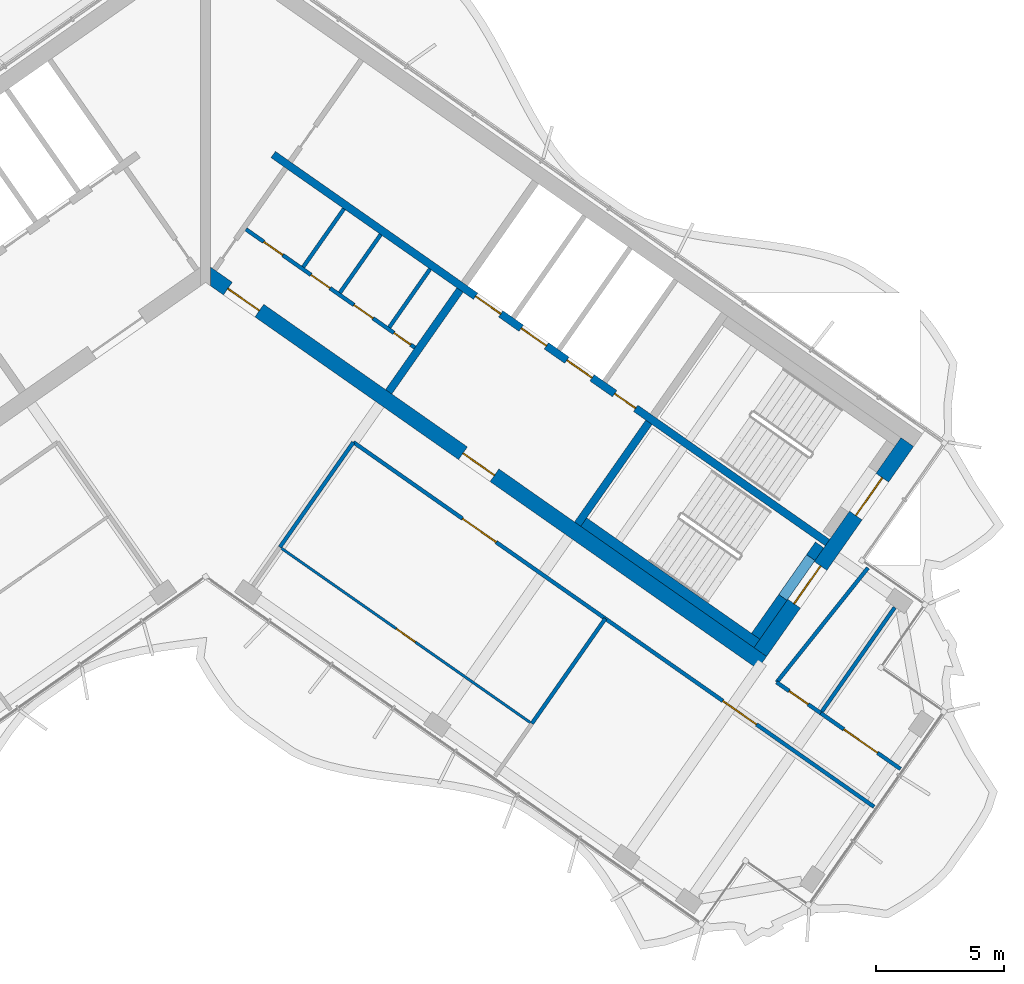
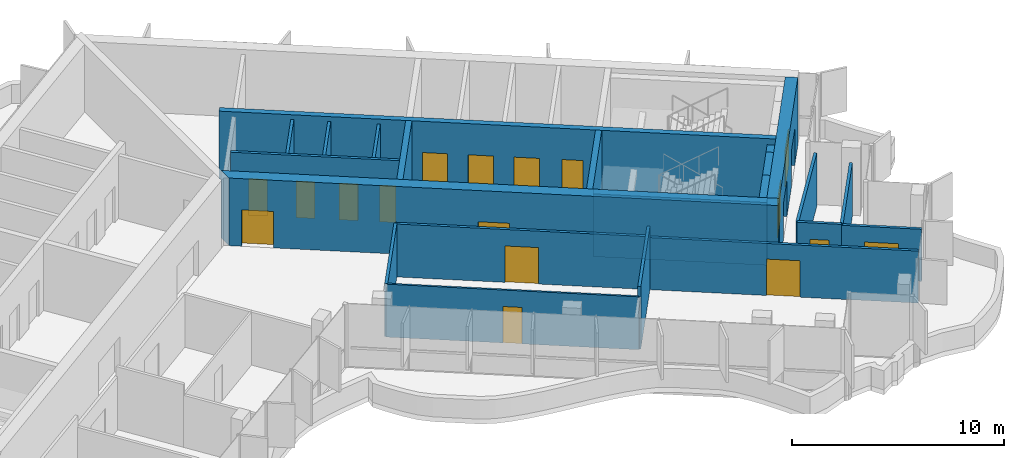
# One storey, part 10 of 18: 22 walls, 17 doors, 17 openings.
"""IFC4 building model written with IfcOpenShell, lengths in metres."""

from ifc_helpers import new_model, si_unit, direction, frame, frame_2d, origin, place, context, subcontext, project, spatial, polyline, rectangle, outline, extrude, material, layer, layer_set, type_object, element, fill, save


model = new_model("IFC4")

# Units and contexts
model_context = context("Model", 3, precision=1e-05, world=origin(), true_north=direction((0.0, 1.0)))
body_context = subcontext(model_context, "Body", "Model", "MODEL_VIEW")
ifc_project = project(units=[si_unit("LENGTHUNIT", "METRE"), si_unit("AREAUNIT", "SQUARE_METRE"), si_unit("VOLUMEUNIT", "CUBIC_METRE"), si_unit("PLANEANGLEUNIT", "RADIAN"), si_unit("MASSUNIT", "GRAM", prefix="KILO")], contexts=[model_context])

# Site, building, storey
site_placement = place(None, origin())
site = spatial("IfcSite", under=ifc_project, at=site_placement, CompositionType="ELEMENT")
building_placement = place(site_placement, origin())
building = spatial("IfcBuilding", under=site, at=building_placement, Name="Tel Ilan Convention Tower", CompositionType="ELEMENT")
storey_placement = place(building_placement, frame((0.0, 0.0, 303.39990234375)))
storey = spatial("IfcBuildingStorey", under=building, at=storey_placement, Name="L72", CompositionType="ELEMENT", Elevation=303.39990234375)

# Wall, openings, doors
ifc_material_1 = material(Name="Gypsum Plasterboard on Steel Stud", Category="steel")
ifc_layer_1 = layer(ifc_material_1, 0.14990234375)
ifc_layer_set_1 = layer_set([ifc_layer_1], Name="Core Room Partition Wall 150 mm EI 60")
wall_type_1 = type_object("IfcWallType", Name="Core Room Partition Wall 150 mm EI 60", PredefinedType="PARTITIONING", material=ifc_layer_set_1)
wall_1_placement = place(storey_placement, frame((1.572998046875, 0.851806640625, 0.0), z_axis=(0.0, 0.0, 1.0), x_axis=(0.819160673808, -0.573564111924, 0.0)))
wall_1 = element("IfcWall", 1, at=wall_1_placement, inside=storey, type_object=wall_type_1, Name="L72 core wall wc-h1", PredefinedType="PARTITIONING", context=body_context, shape_type="SweptSolid", body=[
    extrude(rectangle(XDim=8.050048828125, YDim=0.14990234375, at=frame_2d((4.02490234375, 0.0))), origin(), (0.0, 0.0, 1.0), 3.6201171875),
])
opening_1_placement = place(wall_1_placement, frame((0.85009765625, 0.0, 0.0)))
opening_1 = element("IfcOpeningElement", 2, at=opening_1_placement, cuts=wall_1, Name="Opening CD5414", PredefinedType="OPENING", context=body_context, shape_type="SweptSolid", body=[
    extrude(rectangle(XDim=0.89990234375, YDim=2.10009765625, at=frame_2d((0.449951171875, 1.050048828125))), frame((0.0, 0.0849609375, 0.0), z_axis=(0.0, -1.0, 0.0), x_axis=(1.0, 0.0, 0.0)), (0.0, 0.0, 1.0), 0.169921875),
])
opening_2_placement = place(wall_1_placement, frame((3.10009765625, 0.0, 0.0)))
opening_2 = element("IfcOpeningElement", 3, at=opening_2_placement, cuts=wall_1, Name="Opening CD5411", PredefinedType="OPENING", context=body_context, shape_type="SweptSolid", body=[
    extrude(rectangle(XDim=0.89990234375, YDim=2.10009765625, at=frame_2d((0.449951171875, 1.050048828125))), frame((0.0, 0.0849609375, 0.0), z_axis=(0.0, -1.0, 0.0), x_axis=(1.0, 0.0, 0.0)), (0.0, 0.0, 1.0), 0.169921875),
])
opening_3_placement = place(wall_1_placement, frame((5.14990234375, 0.0, 0.0)))
opening_3 = element("IfcOpeningElement", 4, at=opening_3_placement, cuts=wall_1, Name="Opening CD5413", PredefinedType="OPENING", context=body_context, shape_type="SweptSolid", body=[
    extrude(rectangle(XDim=0.89990234375, YDim=2.10009765625, at=frame_2d((0.449951171875, 1.050048828125))), frame((0.0, 0.0849609375, 0.0), z_axis=(0.0, -1.0, 0.0), x_axis=(1.0, 0.0, 0.0)), (0.0, 0.0, 1.0), 0.169921875),
])
opening_4_placement = place(wall_1_placement, frame((7.050048828125, 0.0, 0.0)))
opening_4 = element("IfcOpeningElement", 5, at=opening_4_placement, cuts=wall_1, Name="Opening CD5412", PredefinedType="OPENING", context=body_context, shape_type="SweptSolid", body=[
    extrude(rectangle(XDim=0.800048828125, YDim=2.10009765625, at=frame_2d((0.39990234375, 1.050048828125))), frame((0.0, 0.0849609375, 0.0), z_axis=(0.0, -1.0, 0.0), x_axis=(1.0, 0.0, 0.0)), (0.0, 0.0, 1.0), 0.169921875),
])
ifc_material_2 = material(Name="Galvanised Steel Door Leaf", Category="steel")
door_type_1 = type_object("IfcDoorType", Name="Store Door 800 x 2100 FD60", OperationType="NOTDEFINED", PredefinedType="DOOR", material=ifc_material_2)
door_1_placement = place(opening_4_placement, origin())
door_1 = element("IfcDoor", 6, at=door_1_placement, inside=storey, type_object=door_type_1, Name="Cleaner's store door", OperationType="SINGLE_SWING_RIGHT", OverallHeight=2.10009765625, OverallWidth=0.800048828125, PredefinedType="DOOR", context=body_context, shape_type="SweptSolid", body=[
    extrude(rectangle(XDim=0.800048828125, YDim=2.10009765625, at=frame_2d((0.39990234375, 1.050048828125))), frame((0.0, 0.02490234375, 0.0), z_axis=(0.0, -1.0, 0.0), x_axis=(1.0, 0.0, 0.0)), (0.0, 0.0, 1.0), 0.050048828125),
])
fill(opening_4, door_1)
ifc_material_3 = material(Name="Laminated Timber Door Leaf", Category="wood")
door_type_2 = type_object("IfcDoorType", Name="Toilet Door 900 x 2100 FD30S", OperationType="NOTDEFINED", PredefinedType="DOOR", material=ifc_material_3)
door_2_placement = place(opening_1_placement, origin())
door_2 = element("IfcDoor", 7, at=door_2_placement, inside=storey, type_object=door_type_2, Name="Women's WC door", OperationType="SINGLE_SWING_RIGHT", OverallHeight=2.10009765625, OverallWidth=0.89990234375, PredefinedType="DOOR", context=body_context, shape_type="SweptSolid", body=[
    extrude(rectangle(XDim=0.89990234375, YDim=2.10009765625, at=frame_2d((0.449951171875, 1.050048828125))), frame((0.0, 0.02490234375, 0.0), z_axis=(0.0, -1.0, 0.0), x_axis=(1.0, 0.0, 0.0)), (0.0, 0.0, 1.0), 0.050048828125),
])
fill(opening_1, door_2)
door_3_placement = place(opening_2_placement, origin())
door_3 = element("IfcDoor", 8, at=door_3_placement, inside=storey, type_object=door_type_2, Name="Accessible WC door", OperationType="SINGLE_SWING_RIGHT", OverallHeight=2.10009765625, OverallWidth=0.89990234375, PredefinedType="DOOR", context=body_context, shape_type="SweptSolid", body=[
    extrude(rectangle(XDim=0.89990234375, YDim=2.10009765625, at=frame_2d((0.449951171875, 1.050048828125))), frame((0.0, 0.02490234375, 0.0), z_axis=(0.0, -1.0, 0.0), x_axis=(1.0, 0.0, 0.0)), (0.0, 0.0, 1.0), 0.050048828125),
])
fill(opening_2, door_3)
door_4_placement = place(opening_3_placement, origin())
door_4 = element("IfcDoor", 9, at=door_4_placement, inside=storey, type_object=door_type_2, Name="Men's WC door", OperationType="SINGLE_SWING_RIGHT", OverallHeight=2.10009765625, OverallWidth=0.89990234375, PredefinedType="DOOR", context=body_context, shape_type="SweptSolid", body=[
    extrude(rectangle(XDim=0.89990234375, YDim=2.10009765625, at=frame_2d((0.449951171875, 1.050048828125))), frame((0.0, 0.02490234375, 0.0), z_axis=(0.0, -1.0, 0.0), x_axis=(1.0, 0.0, 0.0)), (0.0, 0.0, 1.0), 0.050048828125),
])
fill(opening_3, door_4)

# Walls
wall_2_placement = place(storey_placement, frame((3.807373046875, -0.62109375, 0.0), z_axis=(0.0, 0.0, 1.0), x_axis=(0.573539102583, 0.819178184407, 0.0)))
element("IfcWall", 10, at=wall_2_placement, inside=storey, type_object=wall_type_1, Name="L72 core wall wc-v0", PredefinedType="PARTITIONING", context=body_context, shape_type="SweptSolid", body=[
    extrude(rectangle(XDim=2.77490234375, YDim=0.14990234375, at=frame_2d((1.387451171875, 0.0))), origin(), (0.0, 0.0, 1.0), 3.6201171875),
])
for number, where, z_axis, x_axis, name in (
    (11, (5.24072265625, -1.625, 0.0), (0.0, 0.0, 1.0), (0.573598137089, 0.81913684884, 0.0), "L72 core wall wc-v1"),
    (12, (7.165771484375, -2.972900390625, 0.0), (0.0, 0.0, 1.0), (0.573598137089, 0.81913684884, 0.0), "L72 core wall wc-v2"),
):
    element("IfcWall", number, at=place(storey_placement, frame(where, z_axis=z_axis, x_axis=x_axis)), inside=storey, type_object=wall_type_1, Name=name, PredefinedType="PARTITIONING", context=body_context, shape_type="SweptSolid", body=[
        extrude(rectangle(XDim=2.775146484375, YDim=0.14990234375, at=frame_2d((1.3876953125, 0.0))), origin(), (0.0, 0.0, 1.0), 3.6201171875),
    ])
ifc_material_4 = material(Name="Concrete C40/50", Category="concrete")
ifc_layer_2 = layer(ifc_material_4, 0.300048828125)
ifc_layer_set_2 = layer_set([ifc_layer_2], Name="Core Shear Wall 300 mm C40/50")
wall_type_2 = type_object("IfcWallType", Name="Core Shear Wall 300 mm C40/50", PredefinedType="SHEAR", material=ifc_layer_set_2)
wall_3_placement = place(storey_placement, frame((7.142822265625, -5.48974609375, 0.0), z_axis=(0.0, 0.0, 1.0), x_axis=(0.573617744349, 0.819123118565, 0.0)))
element("IfcWall", 13, at=wall_3_placement, inside=storey, type_object=wall_type_2, Name="L72 core wall E-cross1-1", PredefinedType="SHEAR", context=body_context, shape_type="SweptSolid", body=[
    extrude(outline(polyline([(0.0, 0.14990234375), (0.0, -0.150146484375), (4.85009765625, -0.14990234375), (4.85009765625, 0.150146484375), (0.0, 0.14990234375)])), origin(), (0.0, 0.0, 1.0), 3.900146484375),
])
wall_4_placement = place(storey_placement, frame((14.515380859375, -10.652099609375, 0.0), z_axis=(0.0, 0.0, 1.0), x_axis=(0.573560315113, 0.819163332265, 0.0)))
element("IfcWall", 14, at=wall_4_placement, inside=storey, type_object=wall_type_2, Name="L72 core wall E-cross2-1", PredefinedType="SHEAR", context=body_context, shape_type="SweptSolid", body=[
    extrude(outline(polyline([(0.0, 0.150146484375), (0.0, -0.14990234375), (4.85009765625, -0.14990234375), (4.85009765625, 0.14990234375), (0.0, 0.150146484375)])), origin(), (0.0, 0.0, 1.0), 3.900146484375),
])

# Wall, openings, doors
wall_5_placement = place(storey_placement, frame((2.638427734375, 3.76806640625, 0.0), z_axis=(0.0, 0.0, 1.0), x_axis=(0.819155014212, -0.573572194837, 0.0)))
wall_5 = element("IfcWall", 15, at=wall_5_placement, inside=storey, type_object=wall_type_2, Name="L72 core wall E-spine", PredefinedType="SHEAR", context=body_context, shape_type="SweptSolid", body=[
    extrude(outline(polyline([(0.0, 0.150146484375), (0.0, -0.14990234375), (26.39990234375, -0.150146484375), (26.39990234375, 0.14990234375), (0.0, 0.150146484375)])), origin(), (0.0, 0.0, 1.0), 3.900146484375),
])
opening_5_placement = place(wall_5_placement, frame((9.637451171875, 0.0, 0.0)))
opening_5 = element("IfcOpeningElement", 16, at=opening_5_placement, cuts=wall_5, Name="Opening LD5401", PredefinedType="OPENING", context=body_context, shape_type="SweptSolid", body=[
    extrude(rectangle(XDim=1.199951171875, YDim=2.10009765625, at=frame_2d((0.60009765625, 1.050048828125))), frame((0.0, 0.159912109375, 0.0), z_axis=(0.0, -1.0, 0.0), x_axis=(1.0, 0.0, 0.0)), (0.0, 0.0, 1.0), 0.320068359375),
])
opening_6_placement = place(wall_5_placement, frame((11.8125, 0.0, 0.0)))
opening_6 = element("IfcOpeningElement", 17, at=opening_6_placement, cuts=wall_5, Name="Opening LD5402", PredefinedType="OPENING", context=body_context, shape_type="SweptSolid", body=[
    extrude(rectangle(XDim=1.199951171875, YDim=2.10009765625, at=frame_2d((0.60009765625, 1.050048828125))), frame((0.0, 0.159912109375, 0.0), z_axis=(0.0, -1.0, 0.0), x_axis=(1.0, 0.0, 0.0)), (0.0, 0.0, 1.0), 0.320068359375),
])
opening_7_placement = place(wall_5_placement, frame((13.987548828125, 0.0, 0.0)))
opening_7 = element("IfcOpeningElement", 18, at=opening_7_placement, cuts=wall_5, Name="Opening LD5403", PredefinedType="OPENING", context=body_context, shape_type="SweptSolid", body=[
    extrude(rectangle(XDim=1.199951171875, YDim=2.10009765625, at=frame_2d((0.60009765625, 1.050048828125))), frame((0.0, 0.159912109375, 0.0), z_axis=(0.0, -1.0, 0.0), x_axis=(1.0, 0.0, 0.0)), (0.0, 0.0, 1.0), 0.320068359375),
])
opening_8_placement = place(wall_5_placement, frame((16.262451171875, 0.0, 0.0)))
opening_8 = element("IfcOpeningElement", 19, at=opening_8_placement, cuts=wall_5, Name="Opening CD5408", PredefinedType="OPENING", context=body_context, shape_type="SweptSolid", body=[
    extrude(rectangle(XDim=1.0, YDim=2.10009765625, at=frame_2d((0.5, 1.050048828125))), frame((0.0, 0.159912109375, 0.0), z_axis=(0.0, -1.0, 0.0), x_axis=(1.0, 0.0, 0.0)), (0.0, 0.0, 1.0), 0.320068359375),
])
ifc_material_5 = material(Name="Stainless Steel Sliding Door Leaf", Category="steel")
door_type_3 = type_object("IfcDoorType", Name="Lift Landing Door 1200 x 2100 FD120", OperationType="NOTDEFINED", PredefinedType="DOOR", material=ifc_material_5)
door_5_placement = place(opening_5_placement, origin())
door_5 = element("IfcDoor", 20, at=door_5_placement, inside=storey, type_object=door_type_3, Name="Lift FL1 landing door", OperationType="SLIDING_TO_LEFT", OverallHeight=2.10009765625, OverallWidth=1.199951171875, PredefinedType="DOOR", context=body_context, shape_type="SweptSolid", body=[
    extrude(rectangle(XDim=1.199951171875, YDim=2.10009765625, at=frame_2d((0.60009765625, 1.050048828125))), frame((0.0, 0.02490234375, 0.0), z_axis=(0.0, -1.0, 0.0), x_axis=(1.0, 0.0, 0.0)), (0.0, 0.0, 1.0), 0.050048828125),
])
fill(opening_5, door_5)
door_6_placement = place(opening_6_placement, origin())
door_6 = element("IfcDoor", 21, at=door_6_placement, inside=storey, type_object=door_type_3, Name="Lift FL2 landing door", OperationType="SLIDING_TO_RIGHT", OverallHeight=2.10009765625, OverallWidth=1.199951171875, PredefinedType="DOOR", context=body_context, shape_type="SweptSolid", body=[
    extrude(rectangle(XDim=1.199951171875, YDim=2.10009765625, at=frame_2d((0.60009765625, 1.050048828125))), frame((0.0, 0.02490234375, 0.0), z_axis=(0.0, -1.0, 0.0), x_axis=(1.0, 0.0, 0.0)), (0.0, 0.0, 1.0), 0.050048828125),
])
fill(opening_6, door_6)
door_7_placement = place(opening_7_placement, origin())
door_7 = element("IfcDoor", 22, at=door_7_placement, inside=storey, type_object=door_type_3, Name="Lift FL3 landing door", OperationType="SLIDING_TO_LEFT", OverallHeight=2.10009765625, OverallWidth=1.199951171875, PredefinedType="DOOR", context=body_context, shape_type="SweptSolid", body=[
    extrude(rectangle(XDim=1.199951171875, YDim=2.10009765625, at=frame_2d((0.60009765625, 1.050048828125))), frame((0.0, 0.02490234375, 0.0), z_axis=(0.0, -1.0, 0.0), x_axis=(1.0, 0.0, 0.0)), (0.0, 0.0, 1.0), 0.050048828125),
])
fill(opening_7, door_7)
ifc_material_6 = material(Name="Galvanised Steel Door Leaf", Category="steel")
door_type_4 = type_object("IfcDoorType", Name="Service Room Door 1000 x 2100 FD60", OperationType="NOTDEFINED", PredefinedType="DOOR", material=ifc_material_6)
door_8_placement = place(opening_8_placement, origin())
door_8 = element("IfcDoor", 23, at=door_8_placement, inside=storey, type_object=door_type_4, Name="Plant Room door", OperationType="SINGLE_SWING_RIGHT", OverallHeight=2.10009765625, OverallWidth=1.0, PredefinedType="DOOR", context=body_context, shape_type="SweptSolid", body=[
    extrude(rectangle(XDim=1.0, YDim=2.10009765625, at=frame_2d((0.5, 1.050048828125))), frame((0.0, 0.02490234375, 0.0), z_axis=(0.0, -1.0, 0.0), x_axis=(1.0, 0.0, 0.0)), (0.0, 0.0, 1.0), 0.050048828125),
])
fill(opening_8, door_8)

ifc_material_7 = material(Name="Concrete C40/50", Category="concrete")
ifc_layer_3 = layer(ifc_material_7, 0.60009765625)
ifc_layer_set_3 = layer_set([ifc_layer_3], Name="Core Shear Wall 600 mm C40/50")
wall_type_3 = type_object("IfcWallType", Name="Core Shear Wall 600 mm C40/50", PredefinedType="SHEAR", material=ifc_layer_set_3)
wall_6_placement = place(storey_placement, frame((0.02783203125, -0.8740234375, 0.0), z_axis=(0.0, 0.0, 1.0), x_axis=(0.819150035022, -0.573579305871, 0.0)))
wall_6 = element("IfcWall", 24, at=wall_6_placement, inside=storey, type_object=wall_type_3, Name="L72 core wall E-front", PredefinedType="SHEAR", context=body_context, shape_type="SweptSolid", body=[
    extrude(outline(polyline([(26.475830078125, 0.300048828125), (0.000244140625, 0.300048828125), (0.420166015625, -0.300048828125), (26.475830078125, -0.2998046875), (26.475830078125, 0.300048828125)])), origin(), (0.0, 0.0, 1.0), 3.900146484375),
])
opening_9_placement = place(wall_6_placement, frame((1.02587890625, 0.0, 0.0)))
opening_9 = element("IfcOpeningElement", 25, at=opening_9_placement, cuts=wall_6, Name="Opening CD5404", PredefinedType="OPENING", context=body_context, shape_type="SweptSolid", body=[
    extrude(rectangle(XDim=1.5, YDim=2.10009765625, at=frame_2d((0.75, 1.050048828125))), frame((0.0, 0.31005859375, 0.0), z_axis=(0.0, -1.0, 0.0), x_axis=(1.0, 0.0, 0.0)), (0.0, 0.0, 1.0), 0.6201171875),
])
opening_10_placement = place(wall_6_placement, frame((12.225830078125, 0.0, 0.0)))
opening_10 = element("IfcOpeningElement", 26, at=opening_10_placement, cuts=wall_6, Name="Opening CD5405", PredefinedType="OPENING", context=body_context, shape_type="SweptSolid", body=[
    extrude(rectangle(XDim=1.5, YDim=2.10009765625, at=frame_2d((0.75, 1.050048828125))), frame((0.0, 0.31005859375, 0.0), z_axis=(0.0, -1.0, 0.0), x_axis=(1.0, 0.0, 0.0)), (0.0, 0.0, 1.0), 0.6201171875),
])
ifc_material_8 = material(Name="Glazed Aluminium Door Leaf", Category="aluminium")
door_type_5 = type_object("IfcDoorType", Name="Lobby Opening Door 1500 x 2100 FD60S", OperationType="NOTDEFINED", PredefinedType="DOOR", material=ifc_material_8)
door_9_placement = place(opening_10_placement, origin())
door_9 = element("IfcDoor", 27, at=door_9_placement, inside=storey, type_object=door_type_5, Name="Firefighting Lobby door", OperationType="DOUBLE_DOOR_SINGLE_SWING", OverallHeight=2.10009765625, OverallWidth=1.5, PredefinedType="DOOR", context=body_context, shape_type="SweptSolid", body=[
    extrude(rectangle(XDim=1.5, YDim=2.10009765625, at=frame_2d((0.75, 1.050048828125))), frame((0.0, 0.02490234375, 0.0), z_axis=(0.0, -1.0, 0.0), x_axis=(1.0, 0.0, 0.0)), (0.0, 0.0, 1.0), 0.050048828125),
])
fill(opening_10, door_9)
ifc_material_9 = material(Name="Laminated Timber Door Leaf", Category="wood")
door_type_6 = type_object("IfcDoorType", Name="Toilet Door 1500 x 2100 FD30S", OperationType="NOTDEFINED", PredefinedType="DOOR", material=ifc_material_9)
door_10_placement = place(opening_9_placement, origin())
door_10 = element("IfcDoor", 28, at=door_10_placement, inside=storey, type_object=door_type_6, Name="WC Lobby door", OperationType="SINGLE_SWING_RIGHT", OverallHeight=2.10009765625, OverallWidth=1.5, PredefinedType="DOOR", context=body_context, shape_type="SweptSolid", body=[
    extrude(rectangle(XDim=1.5, YDim=2.10009765625, at=frame_2d((0.75, 1.050048828125))), frame((0.0, 0.02490234375, 0.0), z_axis=(0.0, -1.0, 0.0), x_axis=(1.0, 0.0, 0.0)), (0.0, 0.0, 1.0), 0.050048828125),
])
fill(opening_9, door_10)

wall_7_placement = place(storey_placement, frame((21.641845703125, -15.64208984375, 0.0), z_axis=(0.0, 0.0, 1.0), x_axis=(0.573586866468, 0.819144740944, 0.0)))
wall_7 = element("IfcWall", 29, at=wall_7_placement, inside=storey, type_object=wall_type_3, Name="L72 core wall E-end", PredefinedType="SHEAR", context=body_context, shape_type="SweptSolid", body=[
    extrude(outline(polyline([(10.0, 0.300048828125), (0.0, 0.2998046875), (0.0, -0.300048828125), (10.0, -0.300048828125), (10.0, 0.300048828125)])), origin(), (0.0, 0.0, 1.0), 3.900146484375),
])
opening_11_placement = place(wall_7_placement, frame((6.5, 0.0, 0.0)))
opening_11 = element("IfcOpeningElement", 30, at=opening_11_placement, cuts=wall_7, Name="Opening SD5403", PredefinedType="OPENING", context=body_context, shape_type="SweptSolid", body=[
    extrude(rectangle(XDim=1.800048828125, YDim=2.10009765625, at=frame_2d((0.89990234375, 1.050048828125))), frame((0.0, 0.31005859375, 0.0), z_axis=(0.0, -1.0, 0.0), x_axis=(1.0, 0.0, 0.0)), (0.0, 0.0, 1.0), 0.6201171875),
])
opening_12_placement = place(wall_7_placement, frame((2.300048828125, 0.0, 0.0)))
opening_12 = element("IfcOpeningElement", 31, at=opening_12_placement, cuts=wall_7, Name="Opening SD5404", PredefinedType="OPENING", context=body_context, shape_type="SweptSolid", body=[
    extrude(rectangle(XDim=1.800048828125, YDim=2.10009765625, at=frame_2d((0.89990234375, 1.050048828125))), frame((0.0, 0.31005859375, 0.0), z_axis=(0.0, -1.0, 0.0), x_axis=(1.0, 0.0, 0.0)), (0.0, 0.0, 1.0), 0.6201171875),
])
ifc_material_10 = material(Name="Galvanised Steel Door Leaf", Category="steel")
door_type_7 = type_object("IfcDoorType", Name="Stair Fire Door 1800 x 2100 FD60S", OperationType="NOTDEFINED", PredefinedType="DOOR", material=ifc_material_10)
door_11_placement = place(opening_11_placement, origin())
door_11 = element("IfcDoor", 32, at=door_11_placement, inside=storey, type_object=door_type_7, Name="Stair S3 door", OperationType="DOUBLE_DOOR_SINGLE_SWING", OverallHeight=2.10009765625, OverallWidth=1.800048828125, PredefinedType="DOOR", context=body_context, shape_type="SweptSolid", body=[
    extrude(rectangle(XDim=1.800048828125, YDim=2.10009765625, at=frame_2d((0.89990234375, 1.050048828125))), frame((0.0, 0.02490234375, 0.0), z_axis=(0.0, -1.0, 0.0), x_axis=(1.0, 0.0, 0.0)), (0.0, 0.0, 1.0), 0.050048828125),
])
fill(opening_11, door_11)
door_12_placement = place(opening_12_placement, origin())
door_12 = element("IfcDoor", 33, at=door_12_placement, inside=storey, type_object=door_type_7, Name="Stair S4 door", OperationType="DOUBLE_DOOR_SINGLE_SWING", OverallHeight=2.10009765625, OverallWidth=1.800048828125, PredefinedType="DOOR", context=body_context, shape_type="SweptSolid", body=[
    extrude(rectangle(XDim=1.800048828125, YDim=2.10009765625, at=frame_2d((0.89990234375, 1.050048828125))), frame((0.0, 0.02490234375, 0.0), z_axis=(0.0, -1.0, 0.0), x_axis=(1.0, 0.0, 0.0)), (0.0, 0.0, 1.0), 0.050048828125),
])
fill(opening_12, door_12)

# Wall, opening, door
ifc_material_11 = material(Name="Plasterboard on Steel Studs", Category="steel")
ifc_layer_4 = layer(ifc_material_11, 0.14990234375)
ifc_layer_set_4 = layer_set([ifc_layer_4], Name="Fire-rated Partition 150 EI 60")
wall_type_4 = type_object("IfcWallType", Name="Fire-rated Partition 150 EI 60", PredefinedType="PARTITIONING", material=ifc_layer_set_4)
wall_8_placement = place(storey_placement, frame((22.280517578125, -16.82177734375, 0.0), z_axis=(0.0, 0.0, 1.0), x_axis=(0.819166447083, -0.573555866479, 0.0)))
wall_8 = element("IfcWall", 34, at=wall_8_placement, inside=storey, type_object=wall_type_4, Name="Partition 001", PredefinedType="PARTITIONING", context=body_context, shape_type="SweptSolid", body=[
    extrude(rectangle(XDim=2.102294921875, YDim=0.14990234375, at=frame_2d((1.05126953125, 0.0))), origin(), (0.0, 0.0, 1.0), 3.050048828125),
])
opening_13_placement = place(wall_8_placement, frame((0.60107421875, 0.0, 0.0)))
opening_13 = element("IfcOpeningElement", 35, at=opening_13_placement, cuts=wall_8, Name="Opening L71-011", PredefinedType="OPENING", context=body_context, shape_type="SweptSolid", body=[
    extrude(rectangle(XDim=0.89990234375, YDim=2.10009765625, at=frame_2d((0.449951171875, 1.050048828125))), frame((0.0, 0.0849609375, 0.0), z_axis=(0.0, -1.0, 0.0), x_axis=(1.0, 0.0, 0.0)), (0.0, 0.0, 1.0), 0.169921875),
])
ifc_material_12 = material(Name="Timber Door Leaf in Steel Frame", Category="steel")
door_type_8 = type_object("IfcDoorType", Name="Room Fire Door 900x2100", OperationType="NOTDEFINED", PredefinedType="DOOR", material=ifc_material_12)
door_13_placement = place(opening_13_placement, origin())
door_13 = element("IfcDoor", 36, at=door_13_placement, inside=storey, type_object=door_type_8, Name="Door L71-011", OperationType="SINGLE_SWING_RIGHT", OverallHeight=2.10009765625, OverallWidth=0.89990234375, PredefinedType="DOOR", context=body_context, shape_type="SweptSolid", body=[
    extrude(rectangle(XDim=0.89990234375, YDim=2.10009765625, at=frame_2d((0.449951171875, 1.050048828125))), frame((0.0, 0.02490234375, 0.0), z_axis=(0.0, -1.0, 0.0), x_axis=(1.0, 0.0, 0.0)), (0.0, 0.0, 1.0), 0.050048828125),
])
fill(opening_13, door_13)

wall_9_placement = place(storey_placement, frame((23.999267578125, -18.025390625, 0.0), z_axis=(0.0, 0.0, 1.0), x_axis=(0.819168564183, -0.573552842775, 0.0)))
wall_9 = element("IfcWall", 37, at=wall_9_placement, inside=storey, type_object=wall_type_4, Name="Partition 002", PredefinedType="PARTITIONING", context=body_context, shape_type="SweptSolid", body=[
    extrude(rectangle(XDim=3.802001953125, YDim=0.14990234375, at=frame_2d((1.90087890625, 0.0))), origin(), (0.0, 0.0, 1.0), 3.0),
])
opening_14_placement = place(wall_9_placement, frame((1.10107421875, 0.0, 0.0)))
opening_14 = element("IfcOpeningElement", 38, at=opening_14_placement, cuts=wall_9, Name="Opening L71-012", PredefinedType="OPENING", context=body_context, shape_type="SweptSolid", body=[
    extrude(rectangle(XDim=1.60009765625, YDim=2.10009765625, at=frame_2d((0.800048828125, 1.050048828125))), frame((0.0, 0.0849609375, 0.0), z_axis=(0.0, -1.0, 0.0), x_axis=(1.0, 0.0, 0.0)), (0.0, 0.0, 1.0), 0.169921875),
])
ifc_material_13 = material(Name="Timber Door Leaf in Steel Frame", Category="steel")
door_type_9 = type_object("IfcDoorType", Name="Tenant Suite Entrance Fire Door 1600x2100", OperationType="NOTDEFINED", PredefinedType="DOOR", material=ifc_material_13)
door_14_placement = place(opening_14_placement, origin())
door_14 = element("IfcDoor", 39, at=door_14_placement, inside=storey, type_object=door_type_9, Name="Door L71-012", OperationType="DOUBLE_DOOR_SINGLE_SWING", OverallHeight=2.10009765625, OverallWidth=1.60009765625, PredefinedType="DOOR", context=body_context, shape_type="SweptSolid", body=[
    extrude(rectangle(XDim=1.60009765625, YDim=2.10009765625, at=frame_2d((0.800048828125, 1.050048828125))), frame((0.0, 0.02490234375, 0.0), z_axis=(0.0, -1.0, 0.0), x_axis=(1.0, 0.0, 0.0)), (0.0, 0.0, 1.0), 0.050048828125),
])
fill(opening_14, door_14)

wall_10_placement = place(storey_placement, frame((15.597900390625, -14.33984375, 0.0), z_axis=(0.0, 0.0, 1.0), x_axis=(-0.81915546166, 0.573571555809, 0.0)))
wall_10 = element("IfcWall", 40, at=wall_10_placement, inside=storey, type_object=wall_type_4, Name="Partition 003", PredefinedType="PARTITIONING", context=body_context, shape_type="SweptSolid", body=[
    extrude(rectangle(XDim=12.001953125, YDim=0.14990234375, at=frame_2d((6.0009765625, 0.0))), origin(), (0.0, 0.0, 1.0), 3.050048828125),
])
opening_15_placement = place(wall_10_placement, frame((5.200927734375, 0.0, 0.0)))
opening_15 = element("IfcOpeningElement", 41, at=opening_15_placement, cuts=wall_10, Name="Opening L71-008", PredefinedType="OPENING", context=body_context, shape_type="SweptSolid", body=[
    extrude(rectangle(XDim=1.60009765625, YDim=2.10009765625, at=frame_2d((0.800048828125, 1.050048828125))), frame((0.0, 0.0849609375, 0.0), z_axis=(0.0, -1.0, 0.0), x_axis=(1.0, 0.0, 0.0)), (0.0, 0.0, 1.0), 0.169921875),
])
door_15_placement = place(opening_15_placement, origin())
door_15 = element("IfcDoor", 42, at=door_15_placement, inside=storey, type_object=door_type_9, Name="Door L71-008", OperationType="DOUBLE_DOOR_SINGLE_SWING", OverallHeight=2.10009765625, OverallWidth=1.60009765625, PredefinedType="DOOR", context=body_context, shape_type="SweptSolid", body=[
    extrude(rectangle(XDim=1.60009765625, YDim=2.10009765625, at=frame_2d((0.800048828125, 1.050048828125))), frame((0.0, 0.02490234375, 0.0), z_axis=(0.0, -1.0, 0.0), x_axis=(1.0, 0.0, 0.0)), (0.0, 0.0, 1.0), 0.050048828125),
])
fill(opening_15, door_15)

wall_11_placement = place(storey_placement, frame((26.081298828125, -21.680419921875, 0.0), z_axis=(0.0, 0.0, 1.0), x_axis=(-0.819158447199, 0.573567291939, 0.0)))
wall_11 = element("IfcWall", 43, at=wall_11_placement, inside=storey, type_object=wall_type_4, Name="Partition 004", PredefinedType="PARTITIONING", context=body_context, shape_type="SweptSolid", body=[
    extrude(rectangle(XDim=12.802001953125, YDim=0.14990234375, at=frame_2d((6.40087890625, 0.0))), origin(), (0.0, 0.0, 1.0), 3.0),
])
opening_16_placement = place(wall_11_placement, frame((5.60107421875, 0.0, 0.0)))
opening_16 = element("IfcOpeningElement", 44, at=opening_16_placement, cuts=wall_11, Name="Opening L71-010", PredefinedType="OPENING", context=body_context, shape_type="SweptSolid", body=[
    extrude(rectangle(XDim=1.60009765625, YDim=2.10009765625, at=frame_2d((0.800048828125, 1.050048828125))), frame((0.0, 0.0849609375, 0.0), z_axis=(0.0, -1.0, 0.0), x_axis=(1.0, 0.0, 0.0)), (0.0, 0.0, 1.0), 0.169921875),
])
door_16_placement = place(opening_16_placement, origin())
door_16 = element("IfcDoor", 45, at=door_16_placement, inside=storey, type_object=door_type_9, Name="Door L71-010", OperationType="DOUBLE_DOOR_SINGLE_SWING", OverallHeight=2.10009765625, OverallWidth=1.60009765625, PredefinedType="DOOR", context=body_context, shape_type="SweptSolid", body=[
    extrude(rectangle(XDim=1.60009765625, YDim=2.10009765625, at=frame_2d((0.800048828125, 1.050048828125))), frame((0.0, 0.02490234375, 0.0), z_axis=(0.0, -1.0, 0.0), x_axis=(1.0, 0.0, 0.0)), (0.0, 0.0, 1.0), 0.050048828125),
])
fill(opening_16, door_16)

# Walls
wall_12_placement = place(storey_placement, frame((26.885986328125, -13.906005859375, 0.0), z_axis=(0.0, 0.0, 1.0), x_axis=(-0.573563323307, -0.819161225985, 0.0)))
element("IfcWall", 46, at=wall_12_placement, inside=storey, type_object=wall_type_4, Name="Partition 011", PredefinedType="PARTITIONING", context=body_context, shape_type="SweptSolid", body=[
    extrude(rectangle(XDim=5.030029296875, YDim=0.14990234375, at=frame_2d((2.51513671875, 0.0))), origin(), (0.0, 0.0, 1.0), 3.050048828125),
])
wall_13_placement = place(storey_placement, frame((22.2822265625, -16.822998046875, 0.0), z_axis=(0.0, 0.0, 1.0), x_axis=(0.623563137477, 0.781772993637, 0.0)))
element("IfcWall", 47, at=wall_13_placement, inside=storey, type_object=wall_type_4, Name="Partition 012", PredefinedType="PARTITIONING", context=body_context, shape_type="SweptSolid", body=[
    extrude(rectangle(XDim=5.711181640625, YDim=0.14990234375, at=frame_2d((2.85546875, 0.0))), origin(), (0.0, 0.0, 1.0), 3.050048828125),
])
wall_14_placement = place(storey_placement, frame((15.59619140625, -14.338623046875, 0.0), z_axis=(0.0, 0.0, 1.0), x_axis=(-0.573563925118, -0.819160804606, 0.0)))
element("IfcWall", 48, at=wall_14_placement, inside=storey, type_object=wall_type_4, Name="Partition 016", PredefinedType="PARTITIONING", context=body_context, shape_type="SweptSolid", body=[
    extrude(rectangle(XDim=5.000244140625, YDim=0.14990234375, at=frame_2d((2.5, 0.0))), origin(), (0.0, 0.0, 1.0), 3.6201171875),
])
wall_15_placement = place(storey_placement, frame((2.8984375, -11.551513671875, 0.0), z_axis=(0.0, 0.0, 1.0), x_axis=(0.573586866468, 0.819144740944, 0.0)))
element("IfcWall", 49, at=wall_15_placement, inside=storey, type_object=wall_type_4, Name="Partition 017", PredefinedType="PARTITIONING", context=body_context, shape_type="SweptSolid", body=[
    extrude(rectangle(XDim=5.0, YDim=0.14990234375, at=frame_2d((2.5, 0.0))), origin(), (0.0, 0.0, 1.0), 3.050048828125),
])

# Wall, opening, door
ifc_material_14 = material(Name="Plasterboard on Steel Studs", Category="steel")
ifc_layer_5 = layer(ifc_material_14, 0.10009765625)
ifc_layer_set_5 = layer_set([ifc_layer_5], Name="Plasterboard Partition 100")
wall_type_5 = type_object("IfcWallType", Name="Plasterboard Partition 100", PredefinedType="PARTITIONING", material=ifc_layer_set_5)
wall_16_placement = place(storey_placement, frame((12.727783203125, -18.435302734375, 0.0), z_axis=(0.0, 0.0, 1.0), x_axis=(-0.819156404271, 0.573570209602, 0.0)))
wall_16 = element("IfcWall", 50, at=wall_16_placement, inside=storey, type_object=wall_type_5, Name="Partition 013", PredefinedType="PARTITIONING", context=body_context, shape_type="SweptSolid", body=[
    extrude(rectangle(XDim=12.0, YDim=0.10009765625, at=frame_2d((6.0, 0.0))), origin(), (0.0, 0.0, 1.0), 3.050048828125),
])
opening_17_placement = place(wall_16_placement, frame((5.550048828125, 0.0, 0.0)))
opening_17 = element("IfcOpeningElement", 51, at=opening_17_placement, cuts=wall_16, Name="Opening L71-009", PredefinedType="OPENING", context=body_context, shape_type="SweptSolid", body=[
    extrude(rectangle(XDim=0.89990234375, YDim=2.10009765625, at=frame_2d((0.449951171875, 1.050048828125))), frame((0.0, 0.06005859375, 0.0), z_axis=(0.0, -1.0, 0.0), x_axis=(1.0, 0.0, 0.0)), (0.0, 0.0, 1.0), 0.1201171875),
])
ifc_material_15 = material(Name="Timber Door Leaf in Steel Frame", Category="steel")
door_type_10 = type_object("IfcDoorType", Name="Room Timber Door 900x2100", OperationType="NOTDEFINED", PredefinedType="DOOR", material=ifc_material_15)
door_17_placement = place(opening_17_placement, origin())
door_17 = element("IfcDoor", 52, at=door_17_placement, inside=storey, type_object=door_type_10, Name="Door L71-009", OperationType="SINGLE_SWING_LEFT", OverallHeight=2.10009765625, OverallWidth=0.89990234375, PredefinedType="DOOR", context=body_context, shape_type="SweptSolid", body=[
    extrude(rectangle(XDim=0.89990234375, YDim=2.10009765625, at=frame_2d((0.449951171875, 1.050048828125))), frame((0.0, 0.02490234375, 0.0), z_axis=(0.0, -1.0, 0.0), x_axis=(1.0, 0.0, 0.0)), (0.0, 0.0, 1.0), 0.050048828125),
])
fill(opening_17, door_17)

# Walls
ifc_material_16 = material(Name="Concrete C30/37", Category="concrete")
ifc_layer_6 = layer(ifc_material_16, 0.39990234375)
ifc_layer_set_6 = layer_set([ifc_layer_6], Name="Stair and Shaft Lining Wall 400 mm C30/37")
wall_type_6 = type_object("IfcWallType", Name="Stair and Shaft Lining Wall 400 mm C30/37", PredefinedType="SOLIDWALL", material=ifc_layer_set_6)
wall_17_placement = place(storey_placement, frame((14.7529296875, -10.57421875, 0.0), z_axis=(0.0, 0.0, 1.0), x_axis=(0.819158229677, -0.573567602601, 0.0)))
element("IfcWall", 53, at=wall_17_placement, inside=storey, type_object=wall_type_6, Name="L72 core wall lining-S4-t0", PredefinedType="SOLIDWALL", context=body_context, shape_type="SweptSolid", body=[
    extrude(rectangle(XDim=8.25, YDim=0.39990234375, at=frame_2d((4.125, 0.0))), origin(), (0.0, 0.0, 1.0), 3.6201171875),
])
wall_18_placement = place(storey_placement, frame((21.4619140625, -15.027587890625, 0.0), z_axis=(0.0, 0.0, 1.0), x_axis=(0.573559770908, 0.819163713305, 0.0)))
element("IfcWall", 54, at=wall_18_placement, inside=storey, type_object=wall_type_6, Name="L72 core wall lining-S4-u1-0", PredefinedType="SOLIDWALL", context=body_context, shape_type="SweptSolid", body=[
    extrude(rectangle(XDim=1.849853515625, YDim=0.39990234375, at=frame_2d((0.9248046875, 0.0))), origin(), (0.0, 0.0, 1.0), 3.6201171875),
])
wall_19_placement = place(storey_placement, frame((23.61279296875, -11.955810546875, 0.0), z_axis=(0.0, 0.0, 1.0), x_axis=(0.573435029941, 0.819251039936, 0.0)))
element("IfcWall", 55, at=wall_19_placement, inside=storey, type_object=wall_type_6, Name="L72 core wall lining-S4-u1-1", PredefinedType="SOLIDWALL", context=body_context, shape_type="SweptSolid", body=[
    extrude(rectangle(XDim=0.599853515625, YDim=0.39990234375, at=frame_2d((0.2998046875, 0.0))), origin(), (0.0, 0.0, 1.0), 3.6201171875),
])
wall_20_placement = place(storey_placement, frame((22.52294921875, -13.51220703125, 2.150146484375), z_axis=(0.0, 0.0, 1.0), x_axis=(0.573591692345, 0.819141361715, 0.0)))
element("IfcWall", 56, at=wall_20_placement, inside=storey, type_object=wall_type_6, Name="L72 core wall lining-S4-u1-lintel", PredefinedType="SOLIDWALL", context=body_context, shape_type="SweptSolid", body=[
    extrude(rectangle(XDim=1.900146484375, YDim=0.39990234375, at=frame_2d((0.9501953125, 0.0))), origin(), (0.0, 0.0, 1.0), 1.469970703125),
])

save(model, "model.ifc")
